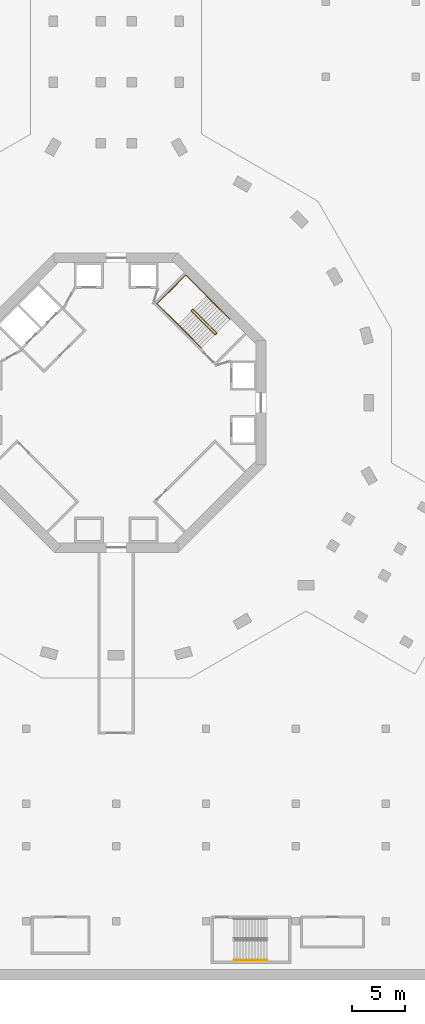
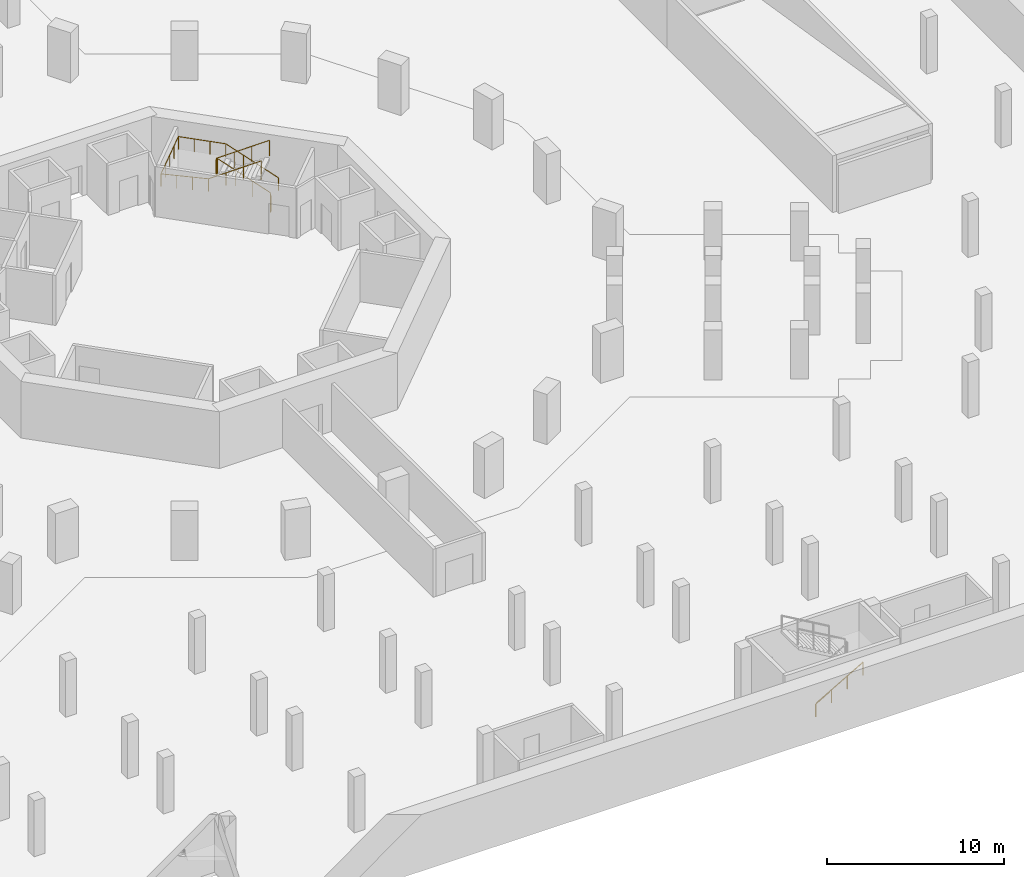
# One storey, part 20 of 25: 3 railings.
"""IFC4 building model written with IfcOpenShell, lengths in metres."""

from ifc_helpers import new_model, si_unit, direction, frame, origin, origin_2d, place, context, subcontext, project, spatial, circle, extrude, material, type_object, element, save


model = new_model("IFC4")

# Units and contexts
model_context = context("Model", 3, precision=1e-05, world=origin(), true_north=direction((0.0, 1.0)))
body_context = subcontext(model_context, "Body", "Model", "MODEL_VIEW")
ifc_project = project(units=[si_unit("LENGTHUNIT", "METRE"), si_unit("AREAUNIT", "SQUARE_METRE"), si_unit("VOLUMEUNIT", "CUBIC_METRE"), si_unit("PLANEANGLEUNIT", "RADIAN"), si_unit("MASSUNIT", "GRAM", prefix="KILO")], contexts=[model_context])

# Site, building, storey
site_placement = place(None, origin())
site = spatial("IfcSite", under=ifc_project, at=site_placement, CompositionType="ELEMENT")
building_placement = place(site_placement, origin())
building = spatial("IfcBuilding", under=site, at=building_placement, Name="Verdalira Terraces Hotel", CompositionType="ELEMENT")
storey_placement = place(building_placement, frame((0.0, 0.0, -3.899902)))
storey = spatial("IfcBuildingStorey", under=building, at=storey_placement, Name="B1", CompositionType="ELEMENT", Elevation=-3.89990234375)

# Railings
ifc_material_1 = material(Name="Stainless steel", Category="steel")
railing_type_1 = type_object("IfcRailingType", Name="Stair guard 1100", PredefinedType="GUARDRAIL", material=ifc_material_1)
railing_1_placement = place(storey_placement, frame((9.369141, 6.469971, 0.0)))
element("IfcRailing", 1, at=railing_1_placement, inside=storey, type_object=railing_type_1, Name="B1 ST1 stair guard 1", PredefinedType="GUARDRAIL", context=body_context, shape_type="SweptSolid", body=[
    extrude(circle(Radius=0.023926, at=origin_2d()), frame((0.0, 0.0, 1.076172), z_axis=(-0.70832698, -0.705884473, 0.0), x_axis=(0.705884473, -0.70832698, 0.0)), (0.0, 0.0, 1.0), 0.099854),
    extrude(circle(Radius=0.023926, at=origin_2d()), frame((-0.070801, -0.070557, 1.076172), z_axis=(0.312430714, 0.623784082, 0.716435949), x_axis=(-0.894118129, 0.447831187, 0.0)), (0.0, 0.0, 1.0), 0.226562),
    extrude(circle(Radius=0.023926, at=origin_2d()), frame((0.0, 0.070801, 1.238281), z_axis=(-0.611598168, 0.611529611, 0.501975315), x_axis=(-0.707067146, -0.707146414, 0.0)), (0.0, 0.0, 1.0), 3.561035),
    extrude(circle(Radius=0.023926, at=origin_2d()), frame((-2.177979, 2.248535, 3.025879), z_axis=(-1.0, 0.0, 0.0), x_axis=(0.0, -1.0, 0.0)), (0.0, 0.0, 1.0), 0.070557),
    extrude(circle(Radius=0.023926, at=origin_2d()), frame((-2.248535, 2.248535, 3.025879), z_axis=(-0.70832698, -0.705884473, 0.0), x_axis=(0.705884473, -0.70832698, 0.0)), (0.0, 0.0, 1.0), 0.099854),
    extrude(circle(Radius=0.023926, at=origin_2d()), frame((-2.319336, 2.177979, 3.025879), z_axis=(0.0, -0.399733916, 0.916631222), x_axis=(1.0, 0.0, 0.0)), (0.0, 0.0, 1.0), 0.177002),
    extrude(circle(Radius=0.023926, at=origin_2d()), frame((-2.319336, 2.107178, 3.188477), z_axis=(0.611598168, -0.611529611, 0.501975315), x_axis=(0.707067146, 0.707146414, 0.0)), (0.0, 0.0, 1.0), 3.561035),
    extrude(circle(Radius=0.020996, at=origin_2d()), origin(), (0.0, 0.0, 1.0), 1.052002),
    extrude(circle(Radius=0.020996, at=origin_2d()), frame((-0.070801, -0.070557, 0.0)), (0.0, 0.0, 1.0), 1.052002),
    extrude(circle(Radius=0.020996, at=origin_2d()), frame((0.0, 0.070801, 0.162354)), (0.0, 0.0, 1.0), 1.052002),
    extrude(circle(Radius=0.020996, at=origin_2d()), frame((-0.726074, 0.796631, 0.758301)), (0.0, 0.0, 1.0), 1.052002),
    extrude(circle(Radius=0.020996, at=origin_2d()), frame((-1.451904, 1.522705, 1.354004)), (0.0, 0.0, 1.0), 1.052002),
    extrude(circle(Radius=0.020996, at=origin_2d()), frame((-2.177979, 2.248535, 1.949951)), (0.0, 0.0, 1.0), 1.052002),
    extrude(circle(Radius=0.020996, at=origin_2d()), frame((-2.248535, 2.248535, 1.949951)), (0.0, 0.0, 1.0), 1.052002),
    extrude(circle(Radius=0.020996, at=origin_2d()), frame((-2.319336, 2.177979, 1.949951)), (0.0, 0.0, 1.0), 1.052002),
    extrude(circle(Radius=0.020996, at=origin_2d()), frame((-2.319336, 2.107178, 2.112305)), (0.0, 0.0, 1.0), 1.052002),
    extrude(circle(Radius=0.020996, at=origin_2d()), frame((-1.593262, 1.381348, 2.708252)), (0.0, 0.0, 1.0), 1.052002),
    extrude(circle(Radius=0.020996, at=origin_2d()), frame((-0.867432, 0.655273, 3.303955)), (0.0, 0.0, 1.0), 1.052002),
    extrude(circle(Radius=0.020996, at=origin_2d()), frame((-0.141357, -0.070557, 3.899902)), (0.0, 0.0, 1.0), 1.052002),
])
ifc_material_2 = material(Name="Stainless steel", Category="steel")
railing_type_2 = type_object("IfcRailingType", Name="Stair handrail 900", PredefinedType="HANDRAIL", material=ifc_material_2)
railing_2_placement = place(storey_placement, frame((10.641846, 7.813477, 0.162354)))
element("IfcRailing", 2, at=railing_2_placement, inside=storey, type_object=railing_type_2, Name="B1 ST1 stair handrail 1", PredefinedType="HANDRAIL", context=body_context, shape_type="SweptSolid", body=[
    extrude(circle(Radius=0.023926, at=origin_2d()), frame((0.0, 0.0, 0.875977), z_axis=(-0.611529611, 0.611598168, 0.501975315), x_axis=(-0.707146414, -0.707067146, 0.0)), (0.0, 0.0, 1.0), 3.561035),
    extrude(circle(Radius=0.023926, at=origin_2d()), frame((-2.177734, 2.177979, 2.663574), z_axis=(-0.707106781, 0.707106781, 0.0), x_axis=(-0.707106781, -0.707106781, 0.0)), (0.0, 0.0, 1.0), 2.77002),
    extrude(circle(Radius=0.023926, at=origin_2d()), frame((-4.136475, 4.136719, 2.663574), z_axis=(-0.707106781, -0.707106781, 0.0), x_axis=(0.707106781, -0.707106781, 0.0)), (0.0, 0.0, 1.0), 3.800049),
    extrude(circle(Radius=0.023926, at=origin_2d()), frame((-6.823486, 1.449707, 2.663574), z_axis=(0.705895409, -0.705895409, 0.058509342), x_axis=(0.707106781, 0.707106781, 0.0)), (0.0, 0.0, 1.0), 2.774902),
    extrude(circle(Radius=0.023926, at=origin_2d()), frame((-4.864746, -0.509033, 2.825684), z_axis=(0.611529611, -0.611598168, 0.501975315), x_axis=(0.707146414, 0.707067146, 0.0)), (0.0, 0.0, 1.0), 3.561035),
    extrude(circle(Radius=0.020996, at=origin_2d()), origin(), (0.0, 0.0, 1.0), 0.851807),
    extrude(circle(Radius=0.020996, at=origin_2d()), frame((-0.72583, 0.726074, 0.595947)), (0.0, 0.0, 1.0), 0.851807),
    extrude(circle(Radius=0.020996, at=origin_2d()), frame((-1.451904, 1.451904, 1.19165)), (0.0, 0.0, 1.0), 0.851807),
    extrude(circle(Radius=0.020996, at=origin_2d()), frame((-2.177734, 2.177979, 1.787598)), (0.0, 0.0, 1.0), 0.851807),
    extrude(circle(Radius=0.020996, at=origin_2d()), frame((-2.830566, 2.830811, 1.787598)), (0.0, 0.0, 1.0), 0.851807),
    extrude(circle(Radius=0.020996, at=origin_2d()), frame((-3.483643, 3.483887, 1.787598)), (0.0, 0.0, 1.0), 0.851807),
    extrude(circle(Radius=0.020996, at=origin_2d()), frame((-4.136475, 4.136719, 1.787598)), (0.0, 0.0, 1.0), 0.851807),
    extrude(circle(Radius=0.020996, at=origin_2d()), frame((-4.808105, 3.464844, 1.787598)), (0.0, 0.0, 1.0), 0.851807),
    extrude(circle(Radius=0.020996, at=origin_2d()), frame((-5.47998, 2.793213, 1.787598)), (0.0, 0.0, 1.0), 0.851807),
    extrude(circle(Radius=0.020996, at=origin_2d()), frame((-6.151855, 2.121582, 1.787598)), (0.0, 0.0, 1.0), 0.851807),
    extrude(circle(Radius=0.020996, at=origin_2d()), frame((-6.823486, 1.449707, 1.787598)), (0.0, 0.0, 1.0), 0.851807),
    extrude(circle(Radius=0.020996, at=origin_2d()), frame((-6.170654, 0.796875, 1.841797)), (0.0, 0.0, 1.0), 0.851807),
    extrude(circle(Radius=0.020996, at=origin_2d()), frame((-5.517578, 0.143799, 1.895752)), (0.0, 0.0, 1.0), 0.851807),
    extrude(circle(Radius=0.020996, at=origin_2d()), frame((-4.864746, -0.509033, 1.949951)), (0.0, 0.0, 1.0), 0.851807),
    extrude(circle(Radius=0.020996, at=origin_2d()), frame((-4.138916, -1.235107, 2.545898)), (0.0, 0.0, 1.0), 0.851807),
    extrude(circle(Radius=0.020996, at=origin_2d()), frame((-3.412842, -1.960938, 3.141602)), (0.0, 0.0, 1.0), 0.851807),
    extrude(circle(Radius=0.020996, at=origin_2d()), frame((-2.687012, -2.687012, 3.737549)), (0.0, 0.0, 1.0), 0.851807),
])
railing_3_placement = place(storey_placement, frame((11.024902, -52.149902, 0.162354)))
element("IfcRailing", 3, at=railing_3_placement, inside=storey, type_object=railing_type_2, Name="B1 Basement stair 6 stair handrail 1", PredefinedType="HANDRAIL", context=body_context, shape_type="SweptSolid", body=[
    extrude(circle(Radius=0.023926, at=origin_2d()), frame((0.0, 0.0, 0.875977), z_axis=(0.864890721, 0.0, 0.501960198), x_axis=(0.0, 1.0, 0.0)), (0.0, 0.0, 1.0), 3.561279),
    extrude(circle(Radius=0.020996, at=origin_2d()), origin(), (0.0, 0.0, 1.0), 0.851807),
    extrude(circle(Radius=0.020996, at=origin_2d()), frame((1.026611, 0.0, 0.595947)), (0.0, 0.0, 1.0), 0.851807),
    extrude(circle(Radius=0.020996, at=origin_2d()), frame((2.053467, 0.0, 1.19165)), (0.0, 0.0, 1.0), 0.851807),
    extrude(circle(Radius=0.020996, at=origin_2d()), frame((3.080078, 0.0, 1.787598)), (0.0, 0.0, 1.0), 0.851807),
])

save(model, "model.ifc")
